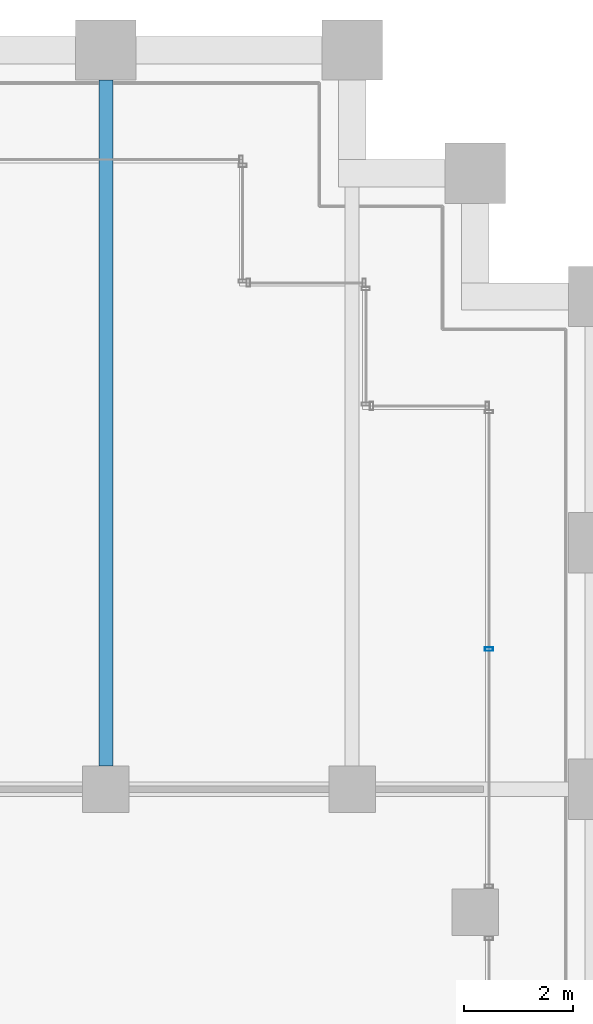
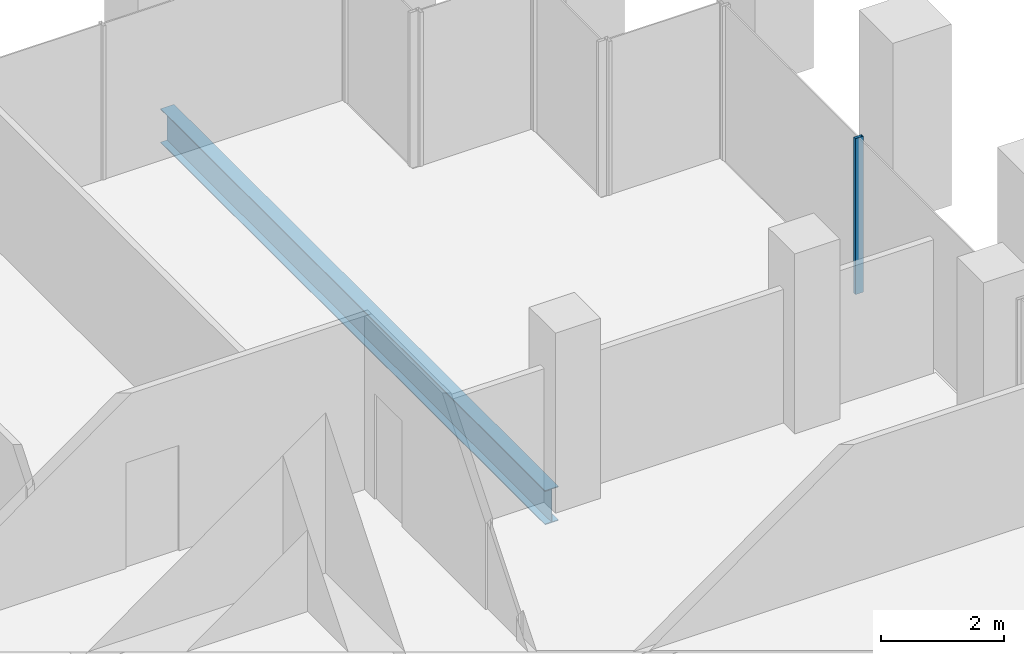
# One storey, part 30 of 56: 1 beam, 1 member, 1 element without a shape of its own.
"""IFC4 building model written with IfcOpenShell, lengths in metres."""

from ifc_helpers import new_model, si_unit, direction, frame, origin, origin_2d, place, context, subcontext, project, spatial, hollow_rectangle, i_section, extrude, material, material_profile, profile_set, type_object, element, aggregate, save


model = new_model("IFC4")

# Units and contexts
model_context = context("Model", 3, precision=1e-05, world=origin(), true_north=direction((0.0, 1.0)))
body_context = subcontext(model_context, "Body", "Model", "MODEL_VIEW")
ifc_project = project(units=[si_unit("LENGTHUNIT", "METRE"), si_unit("AREAUNIT", "SQUARE_METRE"), si_unit("VOLUMEUNIT", "CUBIC_METRE"), si_unit("PLANEANGLEUNIT", "RADIAN"), si_unit("MASSUNIT", "GRAM", prefix="KILO")], contexts=[model_context])

# Site, building, storey
site_placement = place(None, origin())
site = spatial("IfcSite", under=ifc_project, at=site_placement, CompositionType="ELEMENT")
building_placement = place(site_placement, origin())
building = spatial("IfcBuilding", under=site, at=building_placement, Name="Altepetl Exchange Towers", CompositionType="ELEMENT")
storey_placement = place(building_placement, frame((0.0, 0.0, 69.0)))
storey = spatial("IfcBuildingStorey", under=building, at=storey_placement, Name="L16", CompositionType="ELEMENT", Elevation=69.0)

# Beam
ifc_material_1 = material(Name="Steel S355", Category="steel")
ifc_material_profile_1 = material_profile(ifc_material_1, i_section(OverallWidth=0.25390625, OverallDepth=0.68408203125, WebThickness=0.012451171875, FlangeThickness=0.018798828125, at=origin_2d()), Name="W27X94")
ifc_profile_set_1 = profile_set([ifc_material_profile_1], Name="Steel S355")
beam_type = type_object("IfcBeamType", Name="Floor beam W27X94", PredefinedType="BEAM", material=ifc_profile_set_1)
beam_placement = place(storey_placement, frame((63.0, 58.925048828125, -0.491943359375), z_axis=(0.0, 1.0, 0.0), x_axis=(-1.0, 0.0, 0.0)))
element("IfcBeam", 1, at=beam_placement, inside=storey, type_object=beam_type, Name="bm:A:L16:004", PredefinedType="BEAM", context=body_context, shape_type="SweptSolid", body=[
    extrude(i_section(OverallWidth=0.25390625, OverallDepth=0.68408203125, WebThickness=0.012451171875, FlangeThickness=0.018798828125, at=origin_2d()), origin(), (0.0, 0.0, 1.0), 12.52490234375),
])

# Curtain wall, member
ifc_material_2 = material(Name="Aluminium 6063-T6 glazing", Category="aluminium")
curtain_wall_type = type_object("IfcCurtainWallType", Name="Loggia glazing system", PredefinedType="NOTDEFINED", material=ifc_material_2)
curtain_wall_placement = place(storey_placement, origin())
curtain_wall = element("IfcCurtainWall", 2, at=curtain_wall_placement, inside=storey, type_object=curtain_wall_type, Name="CW1 run", PredefinedType="NOTDEFINED")
ifc_material_3 = material(Name="Aluminium 6063-T6", Category="aluminium")
ifc_material_profile_2 = material_profile(ifc_material_3, hollow_rectangle(XDim=0.06005859375, YDim=0.14990234375, WallThickness=0.0029296875, at=origin_2d()), Name="Mullion 60x150 aluminium")
ifc_profile_set_2 = profile_set([ifc_material_profile_2], Name="Aluminium 6063-T6")
member_type = type_object("IfcMemberType", Name="Mullion 60x150 aluminium", PredefinedType="MULLION", material=ifc_profile_set_2)
member_placement = place(storey_placement, frame((70.0, 61.06005859375, 0.0), z_axis=(0.0, 0.0, 1.0), x_axis=(0.0, 1.0, 0.0)))
member = element("IfcMember", 3, at=member_placement, type_object=member_type, Name="MU1 mullion", PredefinedType="MULLION", context=body_context, shape_type="SweptSolid", body=[
    extrude(hollow_rectangle(XDim=0.06005859375, YDim=0.14990234375, WallThickness=0.0029296875, at=origin_2d()), origin(), (0.0, 0.0, 1.0), 3.10009765625),
])
aggregate(curtain_wall, [member])

save(model, "model.ifc")
